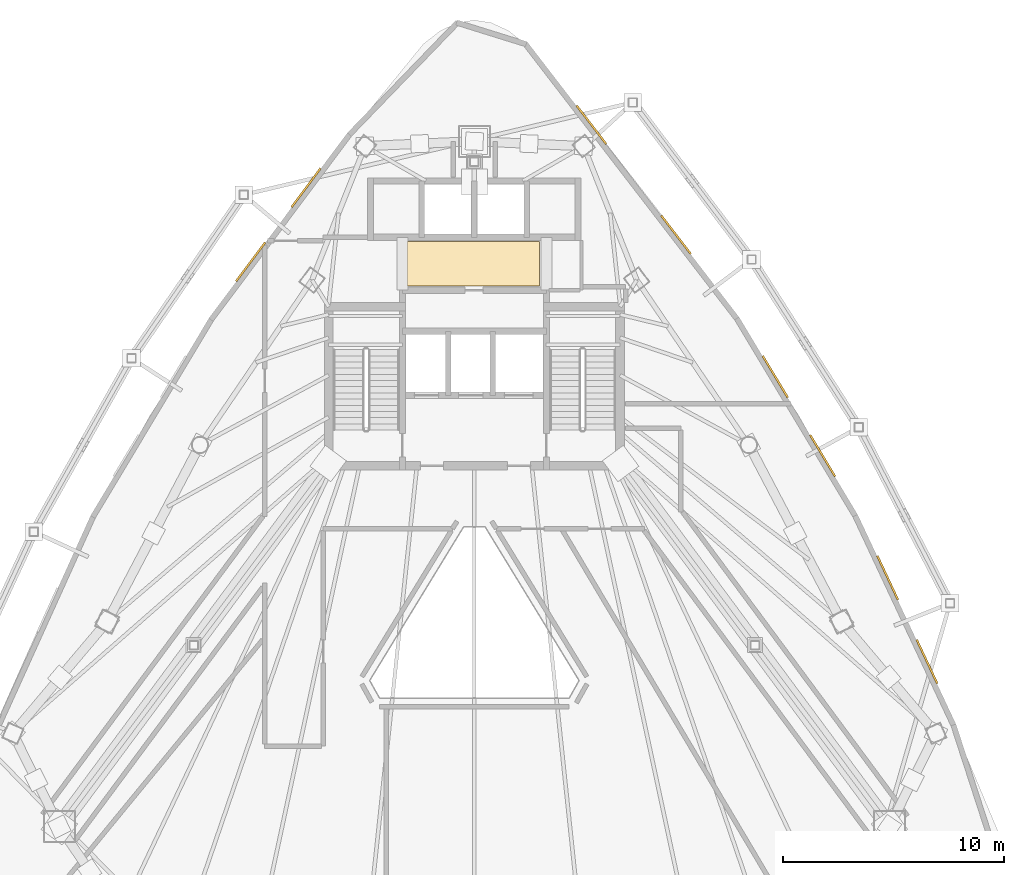
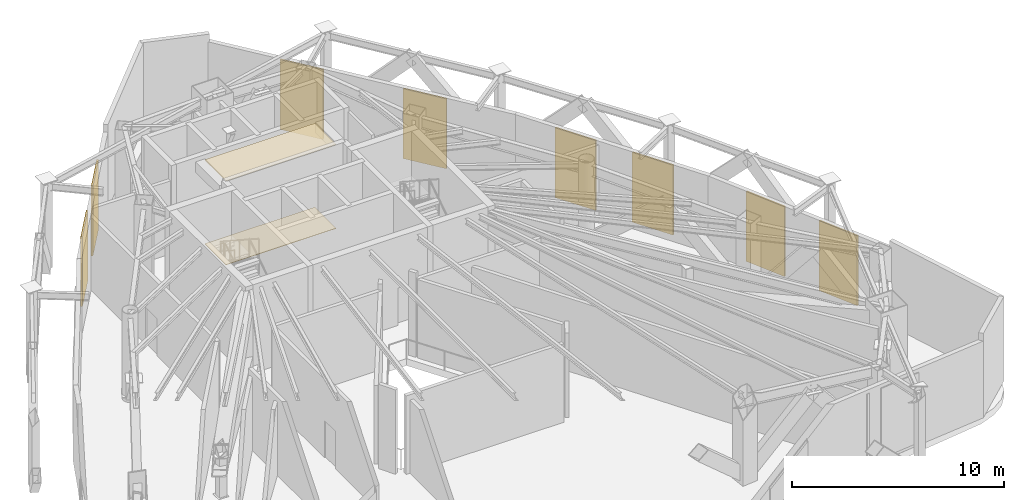
# One storey, part 10 of 10: 8 shading devices, 2 coverings.
"""IFC4 building model written with IfcOpenShell, lengths in metres."""

import ifcopenshell
import ifcopenshell.guid

model = None  # the IFC model being written
_history = None  # IfcOwnerHistory: only IFC2X3 demands one
_inside = {}  # id of a spatial element -> (the spatial element, [elements in it])
_under = {}  # id of a project, library or spatial element -> (it, [spatial elements below it])
_declared = {}  # id of a project -> (the project, [libraries it declares])
_typed = {}  # id of a type object -> (the type object, [elements of that type])
_made_of = {}  # id of a material, layer set ... -> (it, [elements and type objects made of it])


def new_model(schema):
    """Start an empty IFC model of exactly this schema.

    Asked for "IFC4X3", IfcOpenShell would pick the latest addendum, in which some entities
    have other attributes; the version numbers below select the first issue.
    IFC2X3 requires an IfcOwnerHistory on every rooted entity: one is made here for all.
    """
    global model, _history
    if schema == "IFC4X3":
        model = ifcopenshell.file(schema_version=(4, 3, 0, 0))
    else:
        model = ifcopenshell.file(schema=schema)
    _inside.clear()
    _under.clear()
    _declared.clear()
    _typed.clear()
    _made_of.clear()
    _history = None
    if model.schema == "IFC2X3":
        org = make("IfcOrganization", Name="unknown")
        user = make(
            "IfcPersonAndOrganization",
            ThePerson=make("IfcPerson", FamilyName="unknown"),
            TheOrganization=org,
        )
        app = make(
            "IfcApplication",
            ApplicationDeveloper=org,
            Version="unknown",
            ApplicationFullName="unknown",
            ApplicationIdentifier="unknown",
        )
        _history = make(
            "IfcOwnerHistory",
            OwningUser=user,
            OwningApplication=app,
            ChangeAction="ADDED",
            CreationDate=0,
        )
    return model


def make(cls, **values):
    """One entity of the class cls with the attributes given. An attribute that is None is left unset."""
    return model.create_entity(
        cls, **{name: value for name, value in values.items() if value is not None}
    )


def rooted(cls, **values):
    """An entity with a GlobalId (a new one), such as an element, a storey or a relation."""
    return make(cls, GlobalId=ifcopenshell.guid.new(), OwnerHistory=_history, **values)


def si_unit(unit_type, name, prefix=None):
    """IfcSIUnit, for example si_unit("LENGTHUNIT", "METRE", prefix="MILLI")."""
    return make("IfcSIUnit", UnitType=unit_type, Prefix=prefix, Name=name)


def assignment(units):
    """IfcUnitAssignment: the units of a project."""
    return None if units is None else make("IfcUnitAssignment", Units=units)


def point(xyz):
    """IfcCartesianPoint."""
    return None if xyz is None else make("IfcCartesianPoint", Coordinates=xyz)


def direction(xyz):
    """IfcDirection."""
    return None if xyz is None else make("IfcDirection", DirectionRatios=xyz)


def frame(location, z_axis=None, x_axis=None):
    """IfcAxis2Placement3D, a coordinate frame: its origin and axes. An axis left out is left unset."""
    return make(
        "IfcAxis2Placement3D",
        Location=point(location),
        Axis=direction(z_axis),
        RefDirection=direction(x_axis),
    )


def frame_2d(location, x_axis=None):
    """IfcAxis2Placement2D, a coordinate frame in the plane: its origin and x axis."""
    return make(
        "IfcAxis2Placement2D", Location=point(location), RefDirection=direction(x_axis)
    )


def origin():
    """The frame at (0, 0, 0) with its axes left unset."""
    return frame((0.0, 0.0, 0.0))


def origin_2d():
    """The frame at (0, 0) in the plane with its x axis left unset."""
    return frame_2d((0.0, 0.0))


def place(relative_to, where):
    """IfcLocalPlacement: puts the frame where relative to a parent placement (None: the world)."""
    return make(
        "IfcLocalPlacement", PlacementRelTo=relative_to, RelativePlacement=where
    )


def context(
    kind, dimensions, precision=None, world=None, true_north=None, identifier=None
):
    """IfcGeometricRepresentationContext, for example the 3D "Model" context."""
    return make(
        "IfcGeometricRepresentationContext",
        ContextIdentifier=identifier,
        ContextType=kind,
        CoordinateSpaceDimension=dimensions,
        Precision=precision,
        WorldCoordinateSystem=world,
        TrueNorth=true_north,
    )


def subcontext(parent, identifier, kind, view, scale=None):
    """IfcGeometricRepresentationSubContext, for example "Body" below "Model"."""
    return make(
        "IfcGeometricRepresentationSubContext",
        ContextIdentifier=identifier,
        ContextType=kind,
        ParentContext=parent,
        TargetScale=scale,
        TargetView=view,
    )


def project(units=None, contexts=None):
    """IfcProject with its units and contexts."""
    return rooted(
        "IfcProject",
        Name="project",
        RepresentationContexts=contexts,
        UnitsInContext=assignment(units),
    )


def spatial(cls, under=None, at=None, **own):
    """A site, building, storey or space (cls), placed at a placement, below another one or the project."""
    s = rooted(cls, ObjectPlacement=at, **own)
    if under is not None:
        _under.setdefault(under.id(), (under, []))[1].append(s)
    return s


def polyline(points):
    """IfcPolyline through the points."""
    return make("IfcPolyline", Points=[point(p) for p in points])


def profile(cls, at=None, kind="AREA", **sizes):
    """A parametric profile (cls). Its sizes go by their IFC names, for example OverallWidth=200.0."""
    return make(cls, ProfileType=kind, Position=at, **sizes)


def rectangle(**sizes):
    """IfcRectangleProfileDef."""
    return profile("IfcRectangleProfileDef", **sizes)


def outline(outer, holes=None, kind="AREA"):
    """IfcArbitraryClosedProfileDef: a profile drawn as a closed curve; with holes, ...WithVoids."""
    if holes is None:
        return make("IfcArbitraryClosedProfileDef", ProfileType=kind, OuterCurve=outer)
    return make(
        "IfcArbitraryProfileDefWithVoids",
        ProfileType=kind,
        OuterCurve=outer,
        InnerCurves=holes,
    )


def extrude(swept, where, along, depth):
    """IfcExtrudedAreaSolid: the profile swept, set in the frame where, extruded along a direction by depth."""
    return make(
        "IfcExtrudedAreaSolid",
        SweptArea=swept,
        Position=where,
        ExtrudedDirection=direction(along),
        Depth=depth,
    )


def shape(context_of_items, identifier, shape_type, items):
    """IfcShapeRepresentation: the items that make up one representation, for example the "Body"."""
    return make(
        "IfcShapeRepresentation",
        ContextOfItems=context_of_items,
        RepresentationIdentifier=identifier,
        RepresentationType=shape_type,
        Items=items,
    )


def material(Name=None, Category=None):
    """IfcMaterial."""
    return make("IfcMaterial", Name=Name, Category=Category)


def layer(
    of_material, thickness, ventilated=None, Name=None, Category=None, Priority=None
):
    """IfcMaterialLayer: one layer of a wall or slab, of a material (None: an air gap)."""
    return make(
        "IfcMaterialLayer",
        Material=of_material,
        LayerThickness=thickness,
        IsVentilated=ventilated,
        Name=Name,
        Category=Category,
        Priority=Priority,
    )


def layer_set(layers, Name=None):
    """IfcMaterialLayerSet."""
    return make("IfcMaterialLayerSet", MaterialLayers=layers, LayerSetName=Name)


def made_of(thing, what):
    """Note that an element or type object is made of a material, layer set ...; save() writes the relation."""
    if what is not None:
        _made_of.setdefault(what.id(), (what, []))[1].append(thing)
    return thing


def type_object(cls, material=None, **own):
    """A type object (cls), such as IfcWallType, which elements share."""
    return made_of(rooted(cls, **own), material)


def element(
    cls,
    number,
    at=None,
    inside=None,
    cuts=None,
    type_object=None,
    material=None,
    context=None,
    identifier="Body",
    shape_type=None,
    held_by="IfcProductDefinitionShape",
    body=None,
    shapes=None,
    **own,
):
    """One element of the class cls, such as IfcWall. Its Tag is "e" and its number.

    at: its placement. inside: the storey or other place that contains it. cuts: it is an
    opening in that element (IfcRelVoidsElement). A single representation is given by context,
    identifier, shape_type and body (its items); several are given by shapes. held_by: the class
    of the entity that holds the representations. save() writes the other relations.
    """
    e = rooted(cls, Tag="e%d" % number, ObjectPlacement=at, **own)
    if body is not None:
        shapes = [shape(context, identifier, shape_type, body)]
    if shapes is not None:
        e.Representation = make(held_by, Representations=shapes)
    if inside is not None:
        _inside.setdefault(inside.id(), (inside, []))[1].append(e)
    if cuts is not None:
        rooted(
            "IfcRelVoidsElement", RelatingBuildingElement=cuts, RelatedOpeningElement=e
        )
    if type_object is not None:
        _typed.setdefault(type_object.id(), (type_object, []))[1].append(e)
    return made_of(e, material)


def aggregate(whole, parts):
    """IfcRelAggregates: a whole, such as a stair, and the parts it consists of."""
    return rooted("IfcRelAggregates", RelatingObject=whole, RelatedObjects=parts)


def save(model, path):
    """Write the relations noted so far, then the file.

    IfcRelAggregates (storeys below a building ...), IfcRelContainedInSpatialStructure (elements
    in a storey), IfcRelDefinesByType, IfcRelAssociatesMaterial and IfcRelDeclares: one each for
    every whole, place, type object, material and project.
    """
    for whole, parts in _under.values():
        aggregate(whole, parts)
    for where, things in _inside.values():
        rooted(
            "IfcRelContainedInSpatialStructure",
            RelatedElements=things,
            RelatingStructure=where,
        )
    for kind, things in _typed.values():
        rooted("IfcRelDefinesByType", RelatedObjects=things, RelatingType=kind)
    for what, things in _made_of.values():
        rooted("IfcRelAssociatesMaterial", RelatedObjects=things, RelatingMaterial=what)
    for by, libraries in _declared.values():
        rooted("IfcRelDeclares", RelatingContext=by, RelatedDefinitions=libraries)
    model.write(path)


model = new_model("IFC4")

# Units and contexts
model_context = context("Model", 3, precision=1e-05, world=origin(), true_north=direction((0.0, 1.0)))
body_context = subcontext(model_context, "Body", "Model", "MODEL_VIEW")
ifc_project = project(units=[si_unit("LENGTHUNIT", "METRE"), si_unit("AREAUNIT", "SQUARE_METRE"), si_unit("VOLUMEUNIT", "CUBIC_METRE"), si_unit("PLANEANGLEUNIT", "RADIAN"), si_unit("MASSUNIT", "GRAM", prefix="KILO")], contexts=[model_context])

# Site, building, storey
site_placement = place(None, origin())
site = spatial("IfcSite", under=ifc_project, at=site_placement, CompositionType="ELEMENT")
building_placement = place(site_placement, origin())
building = spatial("IfcBuilding", under=site, at=building_placement, Name="Orvanel Arch Residences", CompositionType="ELEMENT")
storey_placement = place(building_placement, frame((0.0, 0.0, 191.300048828125)))
storey = spatial("IfcBuildingStorey", under=building, at=storey_placement, Name="L54", CompositionType="ELEMENT", Elevation=191.300048828125)

# Coverings
ifc_material_1 = material(Name="Perforated acoustic mineral-fibre ceiling tile", Category="gypsum")
ifc_layer_1 = layer(ifc_material_1, 0.034912109375)
ifc_layer_set_1 = layer_set([ifc_layer_1], Name="Perforated acoustic mineral-fibre ceiling tile")
covering_type_1 = type_object("IfcCoveringType", Name="COV-CLG-ACS35", PredefinedType="CEILING", material=ifc_layer_set_1)
covering_1_placement = place(storey_placement, frame((0.0, 0.0, 4.824951171875)))
element("IfcCovering", 1, at=covering_1_placement, inside=storey, type_object=covering_type_1, Name="L54 Lift Lobby Acoustic Ceiling", PredefinedType="CEILING", context=body_context, shape_type="SweptSolid", body=[
    extrude(outline(polyline([(29.949951171875, 34.85009765625), (35.949951171875, 34.85009765625), (35.949951171875, 36.85009765625), (29.949951171875, 36.85009765625), (29.949951171875, 34.85009765625)])), origin(), (0.0, 0.0, 1.0), 0.034912109375),
])
ifc_material_2 = material(Name="Honed cementitious terrazzo floor finish", Category="concrete")
ifc_layer_2 = layer(ifc_material_2, 0.02490234375)
ifc_layer_set_2 = layer_set([ifc_layer_2], Name="Honed cementitious terrazzo floor finish")
covering_type_2 = type_object("IfcCoveringType", Name="COV-FLR-TRZ25", PredefinedType="FLOORING", material=ifc_layer_set_2)
covering_2_placement = place(storey_placement, origin())
element("IfcCovering", 2, at=covering_2_placement, inside=storey, type_object=covering_type_2, Name="L54 Lift Lobby Terrazzo Flooring", PredefinedType="FLOORING", context=body_context, shape_type="SweptSolid", body=[
    extrude(outline(polyline([(29.949951171875, 34.85009765625), (35.949951171875, 34.85009765625), (35.949951171875, 36.85009765625), (29.949951171875, 36.85009765625), (29.949951171875, 34.85009765625)])), origin(), (0.0, 0.0, 1.0), 0.02490234375),
])

# Shading devices
ifc_material_3 = material(Name="Insulated bronze-anodised aluminium spandrel panel", Category="aluminium")
ifc_layer_3 = layer(ifc_material_3, 0.090087890625)
ifc_layer_set_3 = layer_set([ifc_layer_3], Name="Insulated bronze-anodised aluminium spandrel panel")
shading_device_type = type_object("IfcShadingDeviceType", Name="LVR-PLT-90", PredefinedType="USERDEFINED", material=ifc_layer_set_3)
for number, where, z_axis, x_axis, name in (
    (3, (25.373046875, 39.2919921875, 0.199951171875), (0.0, 0.0, 1.0), (-0.599023598516, -0.800731370949, 0.0), "L54 Mechanical Intake Louvre Panel F1-1"),
    (4, (22.864990234375, 35.93798828125, 0.199951171875), (0.0, 0.0, 1.0), (-0.599023598516, -0.800731370949, 0.0), "L54 Mechanical Intake Louvre Panel F1-2"),
    (5, (53.5009765625, 17.830078125, 0.199951171875), (0.0, 0.0, 1.0), (-0.424199422745, 0.905568799011, 0.0), "L54 Mechanical Intake Louvre Panel F3-1"),
    (6, (51.721923828125, 21.6220703125, 0.199951171875), (0.0, 0.0, 1.0), (-0.424199422745, 0.905568799011, 0.0), "L54 Mechanical Intake Louvre Panel F3-2"),
    (7, (48.77392578125, 27.156982421875, 0.199951171875), (0.0, 0.0, 1.0), (-0.51503807491, 0.857167300702, 0.0), "L54 Mechanical Intake Louvre Panel F3-3"),
    (8, (46.631103515625, 30.73095703125, 0.199951171875), (0.0, 0.0, 1.0), (-0.51503807491, 0.857167300702, 0.0), "L54 Mechanical Intake Louvre Panel F3-4"),
    (9, (42.135986328125, 37.1630859375, 0.199951171875), (0.0, 0.0, 1.0), (-0.610145163901, 0.792289643355, 0.0), "L54 Mechanical Intake Louvre Panel F3-5"),
    (10, (38.299072265625, 42.14892578125, 0.199951171875), (0.0, 0.0, 1.0), (-0.610145163901, 0.792289643355, 0.0), "L54 Mechanical Intake Louvre Panel F3-6"),
):
    element("IfcShadingDevice", number, at=place(storey_placement, frame(where, z_axis=z_axis, x_axis=x_axis)), inside=storey, type_object=shading_device_type, Name=name, ObjectType="LOUVRE", PredefinedType="USERDEFINED", context=body_context, shape_type="SweptSolid", body=[
        extrude(rectangle(XDim=2.199951171875, YDim=0.090087890625, at=origin_2d()), origin(), (0.0, 0.0, 1.0), 4.02392578125),
    ])

save(model, "model.ifc")
